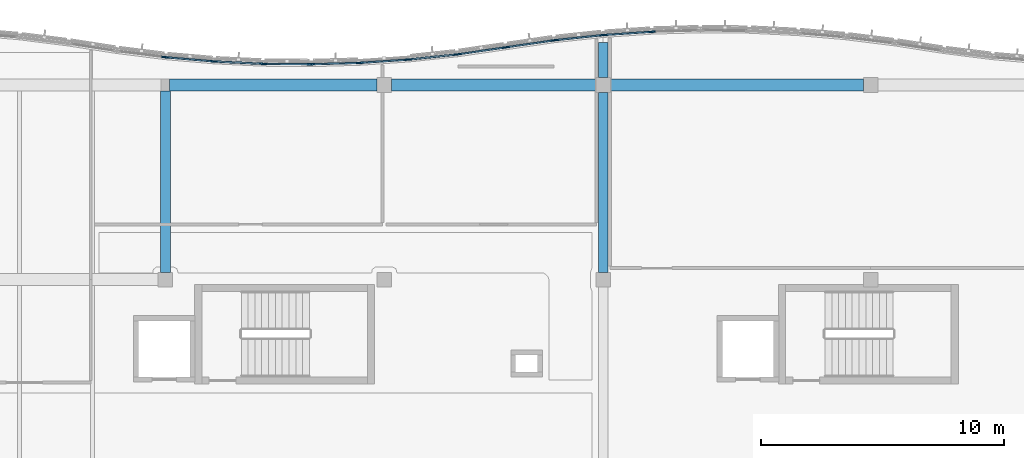
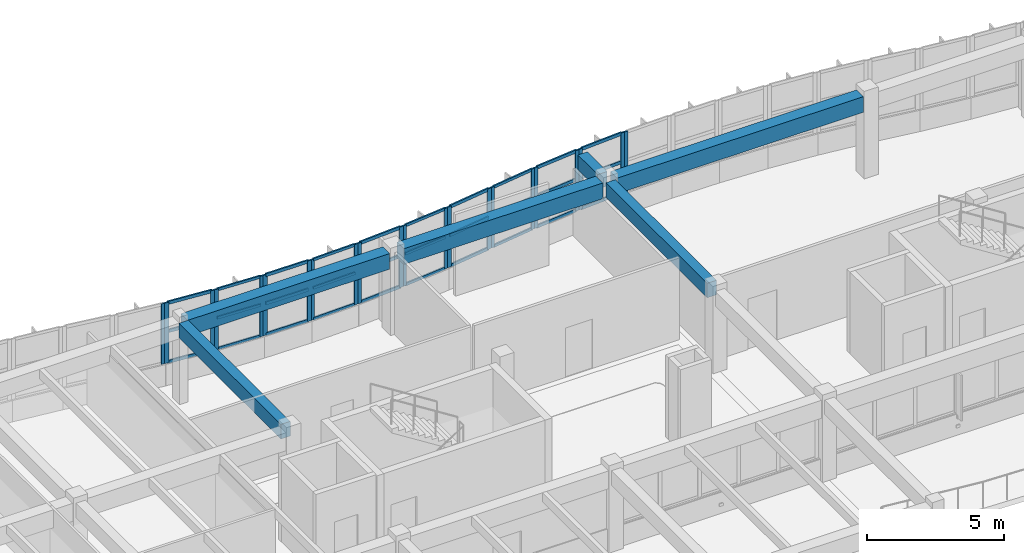
# One storey, part 26 of 89: 52 members, 6 beams, 12 elements without a shape of their own.
"""IFC4 building model written with IfcOpenShell, lengths in metres."""

from ifc_helpers import new_model, si_unit, direction, frame, origin, origin_2d, place, context, subcontext, project, spatial, rectangle, extrude, material, layer, layer_set, material_profile, profile_set, type_object, element, aggregate, save


model = new_model("IFC4")

# Units and contexts
model_context = context("Model", 3, precision=1e-05, world=origin(), true_north=direction((0.0, 1.0)))
body_context = subcontext(model_context, "Body", "Model", "MODEL_VIEW")
ifc_project = project(units=[si_unit("LENGTHUNIT", "METRE"), si_unit("AREAUNIT", "SQUARE_METRE"), si_unit("VOLUMEUNIT", "CUBIC_METRE"), si_unit("PLANEANGLEUNIT", "RADIAN"), si_unit("MASSUNIT", "GRAM", prefix="KILO")], contexts=[model_context])

# Site, building, storey
site_placement = place(None, origin())
site = spatial("IfcSite", under=ifc_project, at=site_placement, CompositionType="ELEMENT")
building_placement = place(site_placement, origin())
building = spatial("IfcBuilding", under=site, at=building_placement, Name="Tonlespit Floodbar School", CompositionType="ELEMENT")
storey_placement = place(building_placement, frame((0.0, 0.0, 4.5)))
storey = spatial("IfcBuildingStorey", under=building, at=storey_placement, Name="L01", CompositionType="ELEMENT", Elevation=4.5)

# Beams
ifc_material_1 = material(Name="Concrete C40/50", Category="concrete")
ifc_material_profile_1 = material_profile(ifc_material_1, rectangle(XDim=0.39990234375, YDim=0.64990234375, at=origin_2d()), Name="RC 400x650")
ifc_profile_set_1 = profile_set([ifc_material_profile_1], Name="Concrete C40/50")
beam_type_1 = type_object("IfcBeamType", Name="Beam_RC_400x650", PredefinedType="BEAM", material=ifc_profile_set_1)
beam_1_placement = place(storey_placement, frame((98.0, 112.300048828125, 3.320068359375), z_axis=(0.0, 1.0, 0.0), x_axis=(-1.0, 0.0, 0.0)))
element("IfcBeam", 1, at=beam_1_placement, inside=storey, type_object=beam_type_1, Name="L01 girder 0741", PredefinedType="BEAM", context=body_context, shape_type="SweptSolid", body=[
    extrude(rectangle(XDim=0.39990234375, YDim=0.64990234375, at=origin_2d()), origin(), (0.0, 0.0, 1.0), 7.449951171875),
])
beam_2_placement = place(storey_placement, frame((116.0, 112.300048828125, 3.320068359375), z_axis=(0.0, 1.0, 0.0), x_axis=(-1.0, 0.0, 0.0)))
element("IfcBeam", 2, at=beam_2_placement, inside=storey, type_object=beam_type_1, Name="L01 girder 0745", PredefinedType="BEAM", context=body_context, shape_type="SweptSolid", body=[
    extrude(rectangle(XDim=0.39990234375, YDim=0.64990234375, at=origin_2d()), origin(), (0.0, 0.0, 1.0), 7.39990234375),
])
beam_3_placement = place(storey_placement, frame((116.0, 120.300048828125, 3.320068359375), z_axis=(0.0, 1.0, 0.0), x_axis=(-1.0, 0.0, 0.0)))
element("IfcBeam", 3, at=beam_3_placement, inside=storey, type_object=beam_type_1, Name="L01 north street wave cantilever bracket", PredefinedType="BEAM", context=body_context, shape_type="SweptSolid", body=[
    extrude(rectangle(XDim=0.39990234375, YDim=0.64990234375, at=origin_2d()), origin(), (0.0, 0.0, 1.0), 1.454345703125),
])

# Curtain wall, member
ifc_material_2 = material(Name="Anodised Aluminium", Category="aluminium")
ifc_layer_1 = layer(ifc_material_2, 0.159912109375)
ifc_layer_set_1 = layer_set([ifc_layer_1], Name="Anodised Aluminium")
curtain_wall_type_1 = type_object("IfcCurtainWallType", Name="CurtainWall_1950x2700", PredefinedType="NOTDEFINED", material=ifc_layer_set_1)
curtain_wall_1_placement = place(storey_placement, origin())
curtain_wall_1 = element("IfcCurtainWall", 4, at=curtain_wall_1_placement, inside=storey, type_object=curtain_wall_type_1, Name="L01 unitised curtain wall 0066", PredefinedType="NOTDEFINED")
ifc_material_profile_2 = material_profile(ifc_material_2, rectangle(XDim=0.06494140625, YDim=0.14990234375, at=origin_2d()), Name="ALU M65x150")
ifc_profile_set_2 = profile_set([ifc_material_profile_2], Name="Anodised Aluminium")
member_type_1 = type_object("IfcMemberType", Name="CW_Mullion_65x150", PredefinedType="MULLION", material=ifc_profile_set_2)
member_1_placement = place(storey_placement, frame((97.927978515625, 121.1513671875, 0.949951171875), z_axis=(0.0, 0.0, 1.0), x_axis=(0.125013803299, 0.992155002499, 0.0)))
member_1 = element("IfcMember", 5, at=member_1_placement, type_object=member_type_1, Name="CW-04 mullion 2", PredefinedType="MULLION", context=body_context, shape_type="SweptSolid", body=[
    extrude(rectangle(XDim=0.06494140625, YDim=0.14990234375, at=origin_2d()), origin(), (0.0, 0.0, 1.0), 2.699951171875),
])
aggregate(curtain_wall_1, [member_1])

# Curtain wall, members
ifc_layer_2 = layer(ifc_material_2, 0.159912109375)
ifc_layer_set_2 = layer_set([ifc_layer_2], Name="Anodised Aluminium")
curtain_wall_type_2 = type_object("IfcCurtainWallType", Name="CurtainWall_1900x2700", PredefinedType="NOTDEFINED", material=ifc_layer_set_2)
curtain_wall_2_placement = place(storey_placement, origin())
curtain_wall_2 = element("IfcCurtainWall", 6, at=curtain_wall_2_placement, inside=storey, type_object=curtain_wall_type_2, Name="L01 unitised curtain wall 0068", PredefinedType="NOTDEFINED")
member_2_placement = place(storey_placement, frame((100.072509765625, 120.965087890625, 0.949951171875), z_axis=(0.0, 0.0, 1.0), x_axis=(0.048121270216, 0.998841500616, 0.0)))
member_2 = element("IfcMember", 7, at=member_2_placement, type_object=member_type_1, Name="CW-05 mullion 1", PredefinedType="MULLION", context=body_context, shape_type="SweptSolid", body=[
    extrude(rectangle(XDim=0.06494140625, YDim=0.14990234375, at=origin_2d()), origin(), (0.0, 0.0, 1.0), 2.699951171875),
])
member_3_placement = place(storey_placement, frame((101.927490234375, 120.875732421875, 0.949951171875), z_axis=(0.0, 0.0, 1.0), x_axis=(0.048121270216, 0.998841500616, 0.0)))
member_3 = element("IfcMember", 8, at=member_3_placement, type_object=member_type_1, Name="CW-05 mullion 2", PredefinedType="MULLION", context=body_context, shape_type="SweptSolid", body=[
    extrude(rectangle(XDim=0.06494140625, YDim=0.14990234375, at=origin_2d()), origin(), (0.0, 0.0, 1.0), 2.699951171875),
])

curtain_wall_3_placement = place(storey_placement, origin())
curtain_wall_3 = element("IfcCurtainWall", 9, at=curtain_wall_3_placement, inside=storey, type_object=curtain_wall_type_2, Name="L01 unitised curtain wall 0070", PredefinedType="NOTDEFINED")
member_4_placement = place(storey_placement, frame((104.072509765625, 120.855224609375, 0.949951171875), z_axis=(0.0, 0.0, 1.0), x_axis=(-0.028790144226, 0.999585477883, 0.0)))
member_4 = element("IfcMember", 10, at=member_4_placement, type_object=member_type_1, Name="CW-05 mullion 1", PredefinedType="MULLION", context=body_context, shape_type="SweptSolid", body=[
    extrude(rectangle(XDim=0.06494140625, YDim=0.14990234375, at=origin_2d()), origin(), (0.0, 0.0, 1.0), 2.699951171875),
])
member_5_placement = place(storey_placement, frame((105.927490234375, 120.908447265625, 0.949951171875), z_axis=(0.0, 0.0, 1.0), x_axis=(-0.028790144226, 0.999585477883, 0.0)))
member_5 = element("IfcMember", 11, at=member_5_placement, type_object=member_type_1, Name="CW-05 mullion 2", PredefinedType="MULLION", context=body_context, shape_type="SweptSolid", body=[
    extrude(rectangle(XDim=0.06494140625, YDim=0.14990234375, at=origin_2d()), origin(), (0.0, 0.0, 1.0), 2.699951171875),
])

curtain_wall_4_placement = place(storey_placement, origin())
curtain_wall_4 = element("IfcCurtainWall", 12, at=curtain_wall_4_placement, inside=storey, type_object=curtain_wall_type_1, Name="L01 unitised curtain wall 0072", PredefinedType="NOTDEFINED")
member_6_placement = place(storey_placement, frame((108.072021484375, 121.05322265625, 0.949951171875), z_axis=(0.0, 0.0, 1.0), x_axis=(-0.105787143968, 0.994388797288, 0.0)))
member_6 = element("IfcMember", 13, at=member_6_placement, type_object=member_type_1, Name="CW-04 mullion 1", PredefinedType="MULLION", context=body_context, shape_type="SweptSolid", body=[
    extrude(rectangle(XDim=0.06494140625, YDim=0.14990234375, at=origin_2d()), origin(), (0.0, 0.0, 1.0), 2.699951171875),
])
member_7_placement = place(storey_placement, frame((109.927978515625, 121.250732421875, 0.949951171875), z_axis=(0.0, 0.0, 1.0), x_axis=(-0.105787143968, 0.994388797288, 0.0)))
member_7 = element("IfcMember", 14, at=member_7_placement, type_object=member_type_1, Name="CW-04 mullion 2", PredefinedType="MULLION", context=body_context, shape_type="SweptSolid", body=[
    extrude(rectangle(XDim=0.06494140625, YDim=0.14990234375, at=origin_2d()), origin(), (0.0, 0.0, 1.0), 2.699951171875),
])

curtain_wall_5_placement = place(storey_placement, origin())
curtain_wall_5 = element("IfcCurtainWall", 15, at=curtain_wall_5_placement, inside=storey, type_object=curtain_wall_type_1, Name="L01 unitised curtain wall 0074", PredefinedType="NOTDEFINED")
member_8_placement = place(storey_placement, frame((112.07177734375, 121.560546875, 0.949951171875), z_axis=(0.0, 0.0, 1.0), x_axis=(-0.144248041079, 0.989541561858, 0.0)))
member_8 = element("IfcMember", 16, at=member_8_placement, type_object=member_type_1, Name="CW-04 mullion 1", PredefinedType="MULLION", context=body_context, shape_type="SweptSolid", body=[
    extrude(rectangle(XDim=0.06494140625, YDim=0.14990234375, at=origin_2d()), origin(), (0.0, 0.0, 1.0), 2.699951171875),
])
member_9_placement = place(storey_placement, frame((113.92822265625, 121.8310546875, 0.949951171875), z_axis=(0.0, 0.0, 1.0), x_axis=(-0.144248041079, 0.989541561858, 0.0)))
member_9 = element("IfcMember", 17, at=member_9_placement, type_object=member_type_1, Name="CW-04 mullion 2", PredefinedType="MULLION", context=body_context, shape_type="SweptSolid", body=[
    extrude(rectangle(XDim=0.06494140625, YDim=0.14990234375, at=origin_2d()), origin(), (0.0, 0.0, 1.0), 2.699951171875),
])

# Curtain wall, member
curtain_wall_6_placement = place(storey_placement, origin())
curtain_wall_6 = element("IfcCurtainWall", 18, at=curtain_wall_6_placement, inside=storey, type_object=curtain_wall_type_2, Name="L01 unitised curtain wall 0378", PredefinedType="NOTDEFINED")
member_10_placement = place(storey_placement, frame((118.072509765625, 122.19140625, 0.949951171875), z_axis=(0.0, 0.0, 1.0), x_axis=(-0.028790144226, 0.999585477883, 0.0)))
member_10 = element("IfcMember", 19, at=member_10_placement, type_object=member_type_1, Name="CW-05 mullion 1", PredefinedType="MULLION", context=body_context, shape_type="SweptSolid", body=[
    extrude(rectangle(XDim=0.06494140625, YDim=0.14990234375, at=origin_2d()), origin(), (0.0, 0.0, 1.0), 2.699951171875),
])
aggregate(curtain_wall_6, [member_10])

# Curtain wall, members
curtain_wall_7_placement = place(storey_placement, origin())
curtain_wall_7 = element("IfcCurtainWall", 20, at=curtain_wall_7_placement, inside=storey, type_object=curtain_wall_type_1, Name="L01 unitised curtain wall 0067", PredefinedType="NOTDEFINED")
ifc_material_profile_3 = material_profile(ifc_material_2, rectangle(XDim=0.06494140625, YDim=0.179931640625, at=origin_2d()), Name="ALU M65x180")
ifc_profile_set_3 = profile_set([ifc_material_profile_3], Name="Anodised Aluminium")
member_type_2 = type_object("IfcMemberType", Name="CW_Mullion_65x180", PredefinedType="MULLION", material=ifc_profile_set_3)
member_11_placement = place(storey_placement, frame((98.072265625, 121.135986328125, 0.949951171875), z_axis=(0.0, 0.0, 1.0), x_axis=(0.086531117454, 0.996249148412, 0.0)))
member_11 = element("IfcMember", 21, at=member_11_placement, type_object=member_type_2, Name="CW-04 mullion 1", PredefinedType="MULLION", context=body_context, shape_type="SweptSolid", body=[
    extrude(rectangle(XDim=0.06494140625, YDim=0.179931640625, at=origin_2d()), origin(), (0.0, 0.0, 1.0), 2.699951171875),
])
member_12_placement = place(storey_placement, frame((99.927734375, 120.974853515625, 0.949951171875), z_axis=(0.0, 0.0, 1.0), x_axis=(0.086531117454, 0.996249148412, 0.0)))
member_12 = element("IfcMember", 22, at=member_12_placement, type_object=member_type_2, Name="CW-04 mullion 2", PredefinedType="MULLION", context=body_context, shape_type="SweptSolid", body=[
    extrude(rectangle(XDim=0.06494140625, YDim=0.179931640625, at=origin_2d()), origin(), (0.0, 0.0, 1.0), 2.699951171875),
])

curtain_wall_8_placement = place(storey_placement, origin())
curtain_wall_8 = element("IfcCurtainWall", 23, at=curtain_wall_8_placement, inside=storey, type_object=curtain_wall_type_2, Name="L01 unitised curtain wall 0069", PredefinedType="NOTDEFINED")
member_13_placement = place(storey_placement, frame((102.072509765625, 120.87158203125, 0.949951171875), z_axis=(0.0, 0.0, 1.0), x_axis=(0.009582893292, 0.999954083024, 0.0)))
member_13 = element("IfcMember", 24, at=member_13_placement, type_object=member_type_2, Name="CW-05 mullion 1", PredefinedType="MULLION", context=body_context, shape_type="SweptSolid", body=[
    extrude(rectangle(XDim=0.06494140625, YDim=0.179931640625, at=origin_2d()), origin(), (0.0, 0.0, 1.0), 2.699951171875),
])
member_14_placement = place(storey_placement, frame((103.927490234375, 120.853759765625, 0.949951171875), z_axis=(0.0, 0.0, 1.0), x_axis=(0.009582893292, 0.999954083024, 0.0)))
member_14 = element("IfcMember", 25, at=member_14_placement, type_object=member_type_2, Name="CW-05 mullion 2", PredefinedType="MULLION", context=body_context, shape_type="SweptSolid", body=[
    extrude(rectangle(XDim=0.06494140625, YDim=0.179931640625, at=origin_2d()), origin(), (0.0, 0.0, 1.0), 2.699951171875),
])

curtain_wall_9_placement = place(storey_placement, origin())
curtain_wall_9 = element("IfcCurtainWall", 26, at=curtain_wall_9_placement, inside=storey, type_object=curtain_wall_type_2, Name="L01 unitised curtain wall 0071", PredefinedType="NOTDEFINED")
member_15_placement = place(storey_placement, frame((106.072265625, 120.91552734375, 0.949951171875), z_axis=(0.0, 0.0, 1.0), x_axis=(-0.067339767311, 0.99773010165, 0.0)))
member_15 = element("IfcMember", 27, at=member_15_placement, type_object=member_type_2, Name="CW-05 mullion 1", PredefinedType="MULLION", context=body_context, shape_type="SweptSolid", body=[
    extrude(rectangle(XDim=0.06494140625, YDim=0.179931640625, at=origin_2d()), origin(), (0.0, 0.0, 1.0), 2.699951171875),
])
member_16_placement = place(storey_placement, frame((107.927734375, 121.040771484375, 0.949951171875), z_axis=(0.0, 0.0, 1.0), x_axis=(-0.067339767311, 0.99773010165, 0.0)))
member_16 = element("IfcMember", 28, at=member_16_placement, type_object=member_type_2, Name="CW-05 mullion 2", PredefinedType="MULLION", context=body_context, shape_type="SweptSolid", body=[
    extrude(rectangle(XDim=0.06494140625, YDim=0.179931640625, at=origin_2d()), origin(), (0.0, 0.0, 1.0), 2.699951171875),
])

curtain_wall_10_placement = place(storey_placement, origin())
curtain_wall_10 = element("IfcCurtainWall", 29, at=curtain_wall_10_placement, inside=storey, type_object=curtain_wall_type_1, Name="L01 unitised curtain wall 0073", PredefinedType="NOTDEFINED")
member_17_placement = place(storey_placement, frame((110.07177734375, 121.268798828125, 0.949951171875), z_axis=(0.0, 0.0, 1.0), x_axis=(-0.144248041079, 0.989541561858, 0.0)))
member_17 = element("IfcMember", 30, at=member_17_placement, type_object=member_type_2, Name="CW-04 mullion 1", PredefinedType="MULLION", context=body_context, shape_type="SweptSolid", body=[
    extrude(rectangle(XDim=0.06494140625, YDim=0.179931640625, at=origin_2d()), origin(), (0.0, 0.0, 1.0), 2.699951171875),
])
member_18_placement = place(storey_placement, frame((111.92822265625, 121.53955078125, 0.949951171875), z_axis=(0.0, 0.0, 1.0), x_axis=(-0.144248041079, 0.989541561858, 0.0)))
member_18 = element("IfcMember", 31, at=member_18_placement, type_object=member_type_2, Name="CW-04 mullion 2", PredefinedType="MULLION", context=body_context, shape_type="SweptSolid", body=[
    extrude(rectangle(XDim=0.06494140625, YDim=0.179931640625, at=origin_2d()), origin(), (0.0, 0.0, 1.0), 2.699951171875),
])

curtain_wall_11_placement = place(storey_placement, origin())
curtain_wall_11 = element("IfcCurtainWall", 32, at=curtain_wall_11_placement, inside=storey, type_object=curtain_wall_type_1, Name="L01 unitised curtain wall 0075", PredefinedType="NOTDEFINED")
member_19_placement = place(storey_placement, frame((114.072021484375, 121.84912109375, 0.949951171875), z_axis=(0.0, 0.0, 1.0), x_axis=(-0.105787143968, 0.994388797288, 0.0)))
member_19 = element("IfcMember", 33, at=member_19_placement, type_object=member_type_2, Name="CW-04 mullion 1", PredefinedType="MULLION", context=body_context, shape_type="SweptSolid", body=[
    extrude(rectangle(XDim=0.06494140625, YDim=0.179931640625, at=origin_2d()), origin(), (0.0, 0.0, 1.0), 2.699951171875),
])
member_20_placement = place(storey_placement, frame((115.927978515625, 122.046630859375, 0.949951171875), z_axis=(0.0, 0.0, 1.0), x_axis=(-0.105787143968, 0.994388797288, 0.0)))
member_20 = element("IfcMember", 34, at=member_20_placement, type_object=member_type_2, Name="CW-04 mullion 2", PredefinedType="MULLION", context=body_context, shape_type="SweptSolid", body=[
    extrude(rectangle(XDim=0.06494140625, YDim=0.179931640625, at=origin_2d()), origin(), (0.0, 0.0, 1.0), 2.699951171875),
])

curtain_wall_12_placement = place(storey_placement, origin())
curtain_wall_12 = element("IfcCurtainWall", 35, at=curtain_wall_12_placement, inside=storey, type_object=curtain_wall_type_2, Name="L01 unitised curtain wall 0377", PredefinedType="NOTDEFINED")
member_21_placement = place(storey_placement, frame((116.072265625, 122.05908203125, 0.949951171875), z_axis=(0.0, 0.0, 1.0), x_axis=(-0.067339767311, 0.99773010165, 0.0)))
member_21 = element("IfcMember", 36, at=member_21_placement, type_object=member_type_2, Name="CW-05 mullion 1", PredefinedType="MULLION", context=body_context, shape_type="SweptSolid", body=[
    extrude(rectangle(XDim=0.06494140625, YDim=0.179931640625, at=origin_2d()), origin(), (0.0, 0.0, 1.0), 2.699951171875),
])
member_22_placement = place(storey_placement, frame((117.927734375, 122.184326171875, 0.949951171875), z_axis=(0.0, 0.0, 1.0), x_axis=(-0.067339767311, 0.99773010165, 0.0)))
member_22 = element("IfcMember", 37, at=member_22_placement, type_object=member_type_2, Name="CW-05 mullion 2", PredefinedType="MULLION", context=body_context, shape_type="SweptSolid", body=[
    extrude(rectangle(XDim=0.06494140625, YDim=0.179931640625, at=origin_2d()), origin(), (0.0, 0.0, 1.0), 2.699951171875),
])

# Member
ifc_material_profile_4 = material_profile(ifc_material_2, rectangle(XDim=0.06494140625, YDim=0.1201171875, at=origin_2d()), Name="ALU T65x120")
ifc_profile_set_4 = profile_set([ifc_material_profile_4], Name="Anodised Aluminium")
member_type_3 = type_object("IfcMemberType", Name="CW_Transom_65x120", PredefinedType="USERDEFINED", material=ifc_profile_set_4)
member_23_placement = place(storey_placement, frame((100.10498046875, 120.96337890625, 0.982421875), z_axis=(0.998843034795, -0.048089415069, 0.0), x_axis=(0.048089415069, 0.998843034795, 0.0)))
member_23 = element("IfcMember", 38, at=member_23_placement, type_object=member_type_3, Name="CW-05 transom 1.1", ObjectType="TRANSOM", PredefinedType="USERDEFINED", context=body_context, shape_type="SweptSolid", body=[
    extrude(rectangle(XDim=0.06494140625, YDim=0.1201171875, at=origin_2d()), origin(), (0.0, 0.0, 1.0), 1.7919921875),
])

member_24_placement = place(storey_placement, frame((100.10498046875, 120.96337890625, 2.35400390625), z_axis=(0.998843034795, -0.048089415069, 0.0), x_axis=(0.048089415069, 0.998843034795, 0.0)))
member_24 = element("IfcMember", 39, at=member_24_placement, type_object=member_type_3, Name="CW-05 transom 1.2", ObjectType="TRANSOM", PredefinedType="USERDEFINED", context=body_context, shape_type="SweptSolid", body=[
    extrude(rectangle(XDim=0.06494140625, YDim=0.1201171875, at=origin_2d()), origin(), (0.0, 0.0, 1.0), 1.7919921875),
])

member_25_placement = place(storey_placement, frame((100.10498046875, 120.96337890625, 3.617431640625), z_axis=(0.998843034795, -0.048089415069, 0.0), x_axis=(0.048089415069, 0.998843034795, 0.0)))
member_25 = element("IfcMember", 40, at=member_25_placement, type_object=member_type_3, Name="CW-05 transom 1.3", ObjectType="TRANSOM", PredefinedType="USERDEFINED", context=body_context, shape_type="SweptSolid", body=[
    extrude(rectangle(XDim=0.06494140625, YDim=0.1201171875, at=origin_2d()), origin(), (0.0, 0.0, 1.0), 1.7919921875),
])

aggregate(curtain_wall_2, [member_2, member_3, member_23, member_24, member_25])

member_26_placement = place(storey_placement, frame((104.10498046875, 120.85595703125, 0.982421875), z_axis=(0.999582242166, 0.028902268868, 0.0), x_axis=(-0.028902268868, 0.999582242166, 0.0)))
member_26 = element("IfcMember", 41, at=member_26_placement, type_object=member_type_3, Name="CW-05 transom 1.1", ObjectType="TRANSOM", PredefinedType="USERDEFINED", context=body_context, shape_type="SweptSolid", body=[
    extrude(rectangle(XDim=0.06494140625, YDim=0.1201171875, at=origin_2d()), origin(), (0.0, 0.0, 1.0), 1.790771484375),
])

member_27_placement = place(storey_placement, frame((104.10498046875, 120.85595703125, 2.35400390625), z_axis=(0.999582242166, 0.028902268868, 0.0), x_axis=(-0.028902268868, 0.999582242166, 0.0)))
member_27 = element("IfcMember", 42, at=member_27_placement, type_object=member_type_3, Name="CW-05 transom 1.2", ObjectType="TRANSOM", PredefinedType="USERDEFINED", context=body_context, shape_type="SweptSolid", body=[
    extrude(rectangle(XDim=0.06494140625, YDim=0.1201171875, at=origin_2d()), origin(), (0.0, 0.0, 1.0), 1.790771484375),
])

member_28_placement = place(storey_placement, frame((104.10498046875, 120.85595703125, 3.617431640625), z_axis=(0.999582242166, 0.028902268868, 0.0), x_axis=(-0.028902268868, 0.999582242166, 0.0)))
member_28 = element("IfcMember", 43, at=member_28_placement, type_object=member_type_3, Name="CW-05 transom 1.3", ObjectType="TRANSOM", PredefinedType="USERDEFINED", context=body_context, shape_type="SweptSolid", body=[
    extrude(rectangle(XDim=0.06494140625, YDim=0.1201171875, at=origin_2d()), origin(), (0.0, 0.0, 1.0), 1.790771484375),
])

aggregate(curtain_wall_3, [member_4, member_5, member_26, member_27, member_28])

member_29_placement = place(storey_placement, frame((108.1044921875, 121.056884765625, 0.982421875), z_axis=(0.994394979136, 0.105729019047, 0.0), x_axis=(-0.105729019047, 0.994394979136, 0.0)))
member_29 = element("IfcMember", 44, at=member_29_placement, type_object=member_type_3, Name="CW-04 transom 1.1", ObjectType="TRANSOM", PredefinedType="USERDEFINED", context=body_context, shape_type="SweptSolid", body=[
    extrude(rectangle(XDim=0.06494140625, YDim=0.1201171875, at=origin_2d()), origin(), (0.0, 0.0, 1.0), 1.801025390625),
])

member_30_placement = place(storey_placement, frame((108.1044921875, 121.056884765625, 2.35400390625), z_axis=(0.994394979136, 0.105729019047, 0.0), x_axis=(-0.105729019047, 0.994394979136, 0.0)))
member_30 = element("IfcMember", 45, at=member_30_placement, type_object=member_type_3, Name="CW-04 transom 1.2", ObjectType="TRANSOM", PredefinedType="USERDEFINED", context=body_context, shape_type="SweptSolid", body=[
    extrude(rectangle(XDim=0.06494140625, YDim=0.1201171875, at=origin_2d()), origin(), (0.0, 0.0, 1.0), 1.801025390625),
])

member_31_placement = place(storey_placement, frame((108.1044921875, 121.056884765625, 3.617431640625), z_axis=(0.994394979136, 0.105729019047, 0.0), x_axis=(-0.105729019047, 0.994394979136, 0.0)))
member_31 = element("IfcMember", 46, at=member_31_placement, type_object=member_type_3, Name="CW-04 transom 1.3", ObjectType="TRANSOM", PredefinedType="USERDEFINED", context=body_context, shape_type="SweptSolid", body=[
    extrude(rectangle(XDim=0.06494140625, YDim=0.1201171875, at=origin_2d()), origin(), (0.0, 0.0, 1.0), 1.801025390625),
])

aggregate(curtain_wall_4, [member_6, member_7, member_29, member_30, member_31])

member_32_placement = place(storey_placement, frame((112.10400390625, 121.565185546875, 0.982421875), z_axis=(0.989541000818, 0.144251889765, 0.0), x_axis=(-0.144251889765, 0.989541000818, 0.0)))
member_32 = element("IfcMember", 47, at=member_32_placement, type_object=member_type_3, Name="CW-04 transom 1.1", ObjectType="TRANSOM", PredefinedType="USERDEFINED", context=body_context, shape_type="SweptSolid", body=[
    extrude(rectangle(XDim=0.06494140625, YDim=0.1201171875, at=origin_2d()), origin(), (0.0, 0.0, 1.0), 1.81103515625),
])

member_33_placement = place(storey_placement, frame((112.10400390625, 121.565185546875, 2.35400390625), z_axis=(0.989541000818, 0.144251889765, 0.0), x_axis=(-0.144251889765, 0.989541000818, 0.0)))
member_33 = element("IfcMember", 48, at=member_33_placement, type_object=member_type_3, Name="CW-04 transom 1.2", ObjectType="TRANSOM", PredefinedType="USERDEFINED", context=body_context, shape_type="SweptSolid", body=[
    extrude(rectangle(XDim=0.06494140625, YDim=0.1201171875, at=origin_2d()), origin(), (0.0, 0.0, 1.0), 1.81103515625),
])

member_34_placement = place(storey_placement, frame((112.10400390625, 121.565185546875, 3.617431640625), z_axis=(0.989541000818, 0.144251889765, 0.0), x_axis=(-0.144251889765, 0.989541000818, 0.0)))
member_34 = element("IfcMember", 49, at=member_34_placement, type_object=member_type_3, Name="CW-04 transom 1.3", ObjectType="TRANSOM", PredefinedType="USERDEFINED", context=body_context, shape_type="SweptSolid", body=[
    extrude(rectangle(XDim=0.06494140625, YDim=0.1201171875, at=origin_2d()), origin(), (0.0, 0.0, 1.0), 1.81103515625),
])

aggregate(curtain_wall_5, [member_8, member_9, member_32, member_33, member_34])

ifc_material_profile_5 = material_profile(ifc_material_2, rectangle(XDim=0.06494140625, YDim=0.139892578125, at=origin_2d()), Name="ALU T65x140")
ifc_profile_set_5 = profile_set([ifc_material_profile_5], Name="Anodised Aluminium")
member_type_4 = type_object("IfcMemberType", Name="CW_Transom_65x140", PredefinedType="USERDEFINED", material=ifc_profile_set_5)
member_35_placement = place(storey_placement, frame((98.1044921875, 121.133056640625, 0.982421875), z_axis=(0.996251281774, -0.086506552139, 0.0), x_axis=(0.086506552139, 0.996251281774, 0.0)))
member_35 = element("IfcMember", 50, at=member_35_placement, type_object=member_type_4, Name="CW-04 transom 1.1", ObjectType="TRANSOM", PredefinedType="USERDEFINED", context=body_context, shape_type="SweptSolid", body=[
    extrude(rectangle(XDim=0.06494140625, YDim=0.139892578125, at=origin_2d()), origin(), (0.0, 0.0, 1.0), 1.7978515625),
])

member_36_placement = place(storey_placement, frame((98.1044921875, 121.133056640625, 2.35400390625), z_axis=(0.996251281774, -0.086506552139, 0.0), x_axis=(0.086506552139, 0.996251281774, 0.0)))
member_36 = element("IfcMember", 51, at=member_36_placement, type_object=member_type_4, Name="CW-04 transom 1.2", ObjectType="TRANSOM", PredefinedType="USERDEFINED", context=body_context, shape_type="SweptSolid", body=[
    extrude(rectangle(XDim=0.06494140625, YDim=0.139892578125, at=origin_2d()), origin(), (0.0, 0.0, 1.0), 1.7978515625),
])

member_37_placement = place(storey_placement, frame((98.1044921875, 121.133056640625, 3.617431640625), z_axis=(0.996251281774, -0.086506552139, 0.0), x_axis=(0.086506552139, 0.996251281774, 0.0)))
member_37 = element("IfcMember", 52, at=member_37_placement, type_object=member_type_4, Name="CW-04 transom 1.3", ObjectType="TRANSOM", PredefinedType="USERDEFINED", context=body_context, shape_type="SweptSolid", body=[
    extrude(rectangle(XDim=0.06494140625, YDim=0.139892578125, at=origin_2d()), origin(), (0.0, 0.0, 1.0), 1.7978515625),
])

aggregate(curtain_wall_7, [member_11, member_12, member_35, member_36, member_37])

member_38_placement = place(storey_placement, frame((102.10498046875, 120.87109375, 0.982421875), z_axis=(0.999954428693, -0.00954675532, 0.0), x_axis=(0.00954675532, 0.999954428693, 0.0)))
member_38 = element("IfcMember", 53, at=member_38_placement, type_object=member_type_4, Name="CW-05 transom 1.1", ObjectType="TRANSOM", PredefinedType="USERDEFINED", context=body_context, shape_type="SweptSolid", body=[
    extrude(rectangle(XDim=0.06494140625, YDim=0.139892578125, at=origin_2d()), origin(), (0.0, 0.0, 1.0), 1.7900390625),
])

member_39_placement = place(storey_placement, frame((102.10498046875, 120.87109375, 2.35400390625), z_axis=(0.999954428693, -0.00954675532, 0.0), x_axis=(0.00954675532, 0.999954428693, 0.0)))
member_39 = element("IfcMember", 54, at=member_39_placement, type_object=member_type_4, Name="CW-05 transom 1.2", ObjectType="TRANSOM", PredefinedType="USERDEFINED", context=body_context, shape_type="SweptSolid", body=[
    extrude(rectangle(XDim=0.06494140625, YDim=0.139892578125, at=origin_2d()), origin(), (0.0, 0.0, 1.0), 1.7900390625),
])

member_40_placement = place(storey_placement, frame((102.10498046875, 120.87109375, 3.617431640625), z_axis=(0.999954428693, -0.00954675532, 0.0), x_axis=(0.00954675532, 0.999954428693, 0.0)))
member_40 = element("IfcMember", 55, at=member_40_placement, type_object=member_type_4, Name="CW-05 transom 1.3", ObjectType="TRANSOM", PredefinedType="USERDEFINED", context=body_context, shape_type="SweptSolid", body=[
    extrude(rectangle(XDim=0.06494140625, YDim=0.139892578125, at=origin_2d()), origin(), (0.0, 0.0, 1.0), 1.7900390625),
])

aggregate(curtain_wall_8, [member_13, member_14, member_38, member_39, member_40])

member_41_placement = place(storey_placement, frame((106.104736328125, 120.917724609375, 0.982421875), z_axis=(0.997730041674, 0.067340655935, 0.0), x_axis=(-0.067340655935, 0.997730041674, 0.0)))
member_41 = element("IfcMember", 56, at=member_41_placement, type_object=member_type_4, Name="CW-05 transom 1.1", ObjectType="TRANSOM", PredefinedType="USERDEFINED", context=body_context, shape_type="SweptSolid", body=[
    extrude(rectangle(XDim=0.06494140625, YDim=0.139892578125, at=origin_2d()), origin(), (0.0, 0.0, 1.0), 1.794677734375),
])

member_42_placement = place(storey_placement, frame((106.104736328125, 120.917724609375, 2.35400390625), z_axis=(0.997730041674, 0.067340655935, 0.0), x_axis=(-0.067340655935, 0.997730041674, 0.0)))
member_42 = element("IfcMember", 57, at=member_42_placement, type_object=member_type_4, Name="CW-05 transom 1.2", ObjectType="TRANSOM", PredefinedType="USERDEFINED", context=body_context, shape_type="SweptSolid", body=[
    extrude(rectangle(XDim=0.06494140625, YDim=0.139892578125, at=origin_2d()), origin(), (0.0, 0.0, 1.0), 1.794677734375),
])

member_43_placement = place(storey_placement, frame((106.104736328125, 120.917724609375, 3.617431640625), z_axis=(0.997730041674, 0.067340655935, 0.0), x_axis=(-0.067340655935, 0.997730041674, 0.0)))
member_43 = element("IfcMember", 58, at=member_43_placement, type_object=member_type_4, Name="CW-05 transom 1.3", ObjectType="TRANSOM", PredefinedType="USERDEFINED", context=body_context, shape_type="SweptSolid", body=[
    extrude(rectangle(XDim=0.06494140625, YDim=0.139892578125, at=origin_2d()), origin(), (0.0, 0.0, 1.0), 1.794677734375),
])

aggregate(curtain_wall_9, [member_15, member_16, member_41, member_42, member_43])

member_44_placement = place(storey_placement, frame((110.10400390625, 121.273681640625, 0.982421875), z_axis=(0.989541000818, 0.144251889765, 0.0), x_axis=(-0.144251889765, 0.989541000818, 0.0)))
member_44 = element("IfcMember", 59, at=member_44_placement, type_object=member_type_4, Name="CW-04 transom 1.1", ObjectType="TRANSOM", PredefinedType="USERDEFINED", context=body_context, shape_type="SweptSolid", body=[
    extrude(rectangle(XDim=0.06494140625, YDim=0.139892578125, at=origin_2d()), origin(), (0.0, 0.0, 1.0), 1.81103515625),
])

member_45_placement = place(storey_placement, frame((110.10400390625, 121.273681640625, 2.35400390625), z_axis=(0.989541000818, 0.144251889765, 0.0), x_axis=(-0.144251889765, 0.989541000818, 0.0)))
member_45 = element("IfcMember", 60, at=member_45_placement, type_object=member_type_4, Name="CW-04 transom 1.2", ObjectType="TRANSOM", PredefinedType="USERDEFINED", context=body_context, shape_type="SweptSolid", body=[
    extrude(rectangle(XDim=0.06494140625, YDim=0.139892578125, at=origin_2d()), origin(), (0.0, 0.0, 1.0), 1.81103515625),
])

member_46_placement = place(storey_placement, frame((110.10400390625, 121.273681640625, 3.617431640625), z_axis=(0.989541000818, 0.144251889765, 0.0), x_axis=(-0.144251889765, 0.989541000818, 0.0)))
member_46 = element("IfcMember", 61, at=member_46_placement, type_object=member_type_4, Name="CW-04 transom 1.3", ObjectType="TRANSOM", PredefinedType="USERDEFINED", context=body_context, shape_type="SweptSolid", body=[
    extrude(rectangle(XDim=0.06494140625, YDim=0.139892578125, at=origin_2d()), origin(), (0.0, 0.0, 1.0), 1.81103515625),
])

aggregate(curtain_wall_10, [member_17, member_18, member_44, member_45, member_46])

member_47_placement = place(storey_placement, frame((114.1044921875, 121.852783203125, 0.982421875), z_axis=(0.994394979136, 0.105729019047, 0.0), x_axis=(-0.105729019047, 0.994394979136, 0.0)))
member_47 = element("IfcMember", 62, at=member_47_placement, type_object=member_type_4, Name="CW-04 transom 1.1", ObjectType="TRANSOM", PredefinedType="USERDEFINED", context=body_context, shape_type="SweptSolid", body=[
    extrude(rectangle(XDim=0.06494140625, YDim=0.139892578125, at=origin_2d()), origin(), (0.0, 0.0, 1.0), 1.801025390625),
])

member_48_placement = place(storey_placement, frame((114.1044921875, 121.852783203125, 2.35400390625), z_axis=(0.994394979136, 0.105729019047, 0.0), x_axis=(-0.105729019047, 0.994394979136, 0.0)))
member_48 = element("IfcMember", 63, at=member_48_placement, type_object=member_type_4, Name="CW-04 transom 1.2", ObjectType="TRANSOM", PredefinedType="USERDEFINED", context=body_context, shape_type="SweptSolid", body=[
    extrude(rectangle(XDim=0.06494140625, YDim=0.139892578125, at=origin_2d()), origin(), (0.0, 0.0, 1.0), 1.801025390625),
])

member_49_placement = place(storey_placement, frame((114.1044921875, 121.852783203125, 3.617431640625), z_axis=(0.994394979136, 0.105729019047, 0.0), x_axis=(-0.105729019047, 0.994394979136, 0.0)))
member_49 = element("IfcMember", 64, at=member_49_placement, type_object=member_type_4, Name="CW-04 transom 1.3", ObjectType="TRANSOM", PredefinedType="USERDEFINED", context=body_context, shape_type="SweptSolid", body=[
    extrude(rectangle(XDim=0.06494140625, YDim=0.139892578125, at=origin_2d()), origin(), (0.0, 0.0, 1.0), 1.801025390625),
])

aggregate(curtain_wall_11, [member_19, member_20, member_47, member_48, member_49])

member_50_placement = place(storey_placement, frame((116.104736328125, 122.061279296875, 0.982421875), z_axis=(0.997730041674, 0.067340655935, 0.0), x_axis=(-0.067340655935, 0.997730041674, 0.0)))
member_50 = element("IfcMember", 65, at=member_50_placement, type_object=member_type_4, Name="CW-05 transom 1.1", ObjectType="TRANSOM", PredefinedType="USERDEFINED", context=body_context, shape_type="SweptSolid", body=[
    extrude(rectangle(XDim=0.06494140625, YDim=0.139892578125, at=origin_2d()), origin(), (0.0, 0.0, 1.0), 1.794677734375),
])

member_51_placement = place(storey_placement, frame((116.104736328125, 122.061279296875, 2.35400390625), z_axis=(0.997730041674, 0.067340655935, 0.0), x_axis=(-0.067340655935, 0.997730041674, 0.0)))
member_51 = element("IfcMember", 66, at=member_51_placement, type_object=member_type_4, Name="CW-05 transom 1.2", ObjectType="TRANSOM", PredefinedType="USERDEFINED", context=body_context, shape_type="SweptSolid", body=[
    extrude(rectangle(XDim=0.06494140625, YDim=0.139892578125, at=origin_2d()), origin(), (0.0, 0.0, 1.0), 1.794677734375),
])

member_52_placement = place(storey_placement, frame((116.104736328125, 122.061279296875, 3.617431640625), z_axis=(0.997730041674, 0.067340655935, 0.0), x_axis=(-0.067340655935, 0.997730041674, 0.0)))
member_52 = element("IfcMember", 67, at=member_52_placement, type_object=member_type_4, Name="CW-05 transom 1.3", ObjectType="TRANSOM", PredefinedType="USERDEFINED", context=body_context, shape_type="SweptSolid", body=[
    extrude(rectangle(XDim=0.06494140625, YDim=0.139892578125, at=origin_2d()), origin(), (0.0, 0.0, 1.0), 1.794677734375),
])

aggregate(curtain_wall_12, [member_21, member_22, member_50, member_51, member_52])

# Beams
ifc_material_profile_6 = material_profile(ifc_material_1, rectangle(XDim=0.5, YDim=0.699951171875, at=origin_2d()), Name="RC 500x700")
ifc_profile_set_6 = profile_set([ifc_material_profile_6], Name="Concrete C40/50")
beam_type_2 = type_object("IfcBeamType", Name="Spandrel_RC_500x700", PredefinedType="SPANDREL", material=ifc_profile_set_6)
beam_4_placement = place(storey_placement, frame((98.175048828125, 120.0, 3.294921875), z_axis=(1.0, 0.0, 0.0), x_axis=(0.0, 1.0, 0.0)))
element("IfcBeam", 68, at=beam_4_placement, inside=storey, type_object=beam_type_2, Name="L01 girder 0661", PredefinedType="SPANDREL", context=body_context, shape_type="SweptSolid", body=[
    extrude(rectangle(XDim=0.5, YDim=0.699951171875, at=origin_2d()), origin(), (0.0, 0.0, 1.0), 8.52490234375),
])
beam_5_placement = place(storey_placement, frame((107.300048828125, 120.0, 3.294921875), z_axis=(1.0, 0.0, 0.0), x_axis=(0.0, 1.0, 0.0)))
element("IfcBeam", 69, at=beam_5_placement, inside=storey, type_object=beam_type_2, Name="L01 girder 0662", PredefinedType="SPANDREL", context=body_context, shape_type="SweptSolid", body=[
    extrude(rectangle(XDim=0.5, YDim=0.699951171875, at=origin_2d()), origin(), (0.0, 0.0, 1.0), 8.39990234375),
])
beam_6_placement = place(storey_placement, frame((116.300048828125, 120.0, 3.294921875), z_axis=(1.0, 0.0, 0.0), x_axis=(0.0, 1.0, 0.0)))
element("IfcBeam", 70, at=beam_6_placement, inside=storey, type_object=beam_type_2, Name="L01 girder 0663", PredefinedType="SPANDREL", context=body_context, shape_type="SweptSolid", body=[
    extrude(rectangle(XDim=0.5, YDim=0.699951171875, at=origin_2d()), origin(), (0.0, 0.0, 1.0), 10.39990234375),
])

save(model, "model.ifc")
